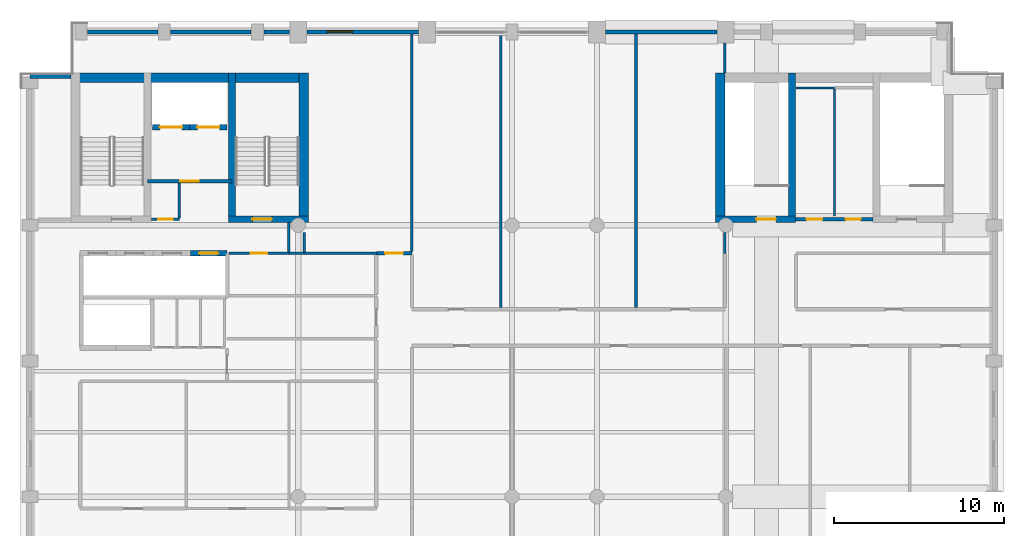
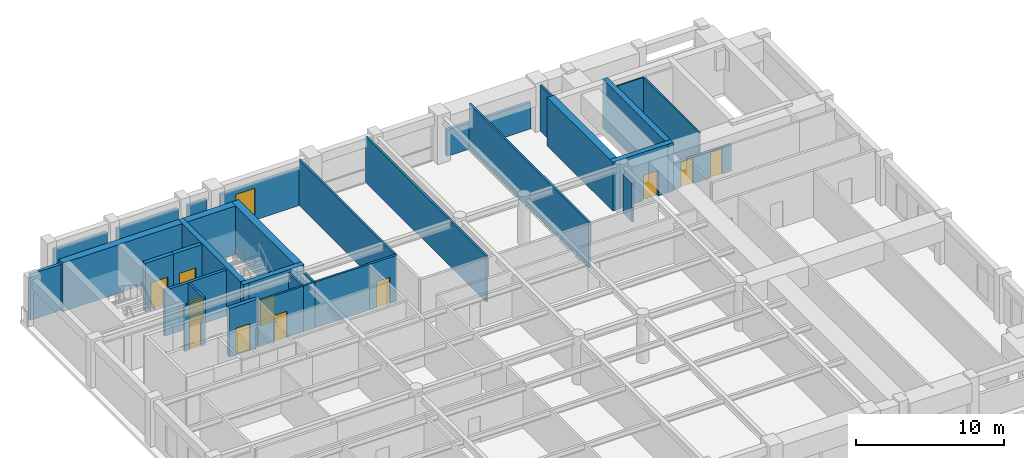
# One storey, part 10 of 14: 33 walls, 11 doors, 1 window, 12 openings.
"""IFC4 building model written with IfcOpenShell, lengths in metres."""

from ifc_helpers import new_model, si_unit, direction, frame, frame_2d, origin, place, context, subcontext, project, spatial, rectangle, extrude, material, layer, layer_set, type_object, element, fill, save


model = new_model("IFC4")

# Units and contexts
model_context = context("Model", 3, precision=1e-05, world=origin(), true_north=direction((0.0, 1.0)))
body_context = subcontext(model_context, "Body", "Model", "MODEL_VIEW")
ifc_project = project(units=[si_unit("LENGTHUNIT", "METRE"), si_unit("AREAUNIT", "SQUARE_METRE"), si_unit("VOLUMEUNIT", "CUBIC_METRE"), si_unit("PLANEANGLEUNIT", "RADIAN"), si_unit("MASSUNIT", "GRAM", prefix="KILO")], contexts=[model_context])

# Site, building, storey
site_placement = place(None, origin())
site = spatial("IfcSite", under=ifc_project, at=site_placement, CompositionType="ELEMENT")
building_placement = place(site_placement, origin())
building = spatial("IfcBuilding", under=site, at=building_placement, Name="Sulina Concourse Tower", CompositionType="ELEMENT")
storey_placement = place(building_placement, frame((0.0, 0.0, 285.0)))
storey = spatial("IfcBuildingStorey", under=building, at=storey_placement, Name="L69", CompositionType="ELEMENT", Elevation=285.0)

# Wall, opening, door
ifc_material_1 = material(Name="Concrete C50/60", Category="concrete")
ifc_layer_1 = layer(ifc_material_1, 0.300048828125)
ifc_layer_set_1 = layer_set([ifc_layer_1], Name="Concrete C50/60")
wall_type_1 = type_object("IfcWallType", Name="Core Lift Hoistway Wall 300mm", PredefinedType="SOLIDWALL", material=ifc_layer_set_1)
wall_1_placement = place(storey_placement, frame((10.050048828125, 32.35009765625, 0.0), z_axis=(0.0, 0.0, 1.0), x_axis=(1.0, 0.0, 0.0)))
wall_1 = element("IfcWall", 1, at=wall_1_placement, inside=storey, type_object=wall_type_1, Name="L69 hoistway enclosure wall LP-12", PredefinedType="SOLIDWALL", context=body_context, shape_type="SweptSolid", body=[
    extrude(rectangle(XDim=2.14990234375, YDim=0.300048828125, at=frame_2d((1.074951171875, 0.0))), origin(), (0.0, 0.0, 1.0), 4.0),
])
opening_1_placement = place(wall_1_placement, frame((0.52490234375, 0.0, 0.0)))
opening_1 = element("IfcOpeningElement", 2, at=opening_1_placement, cuts=wall_1, Name="Opening LD-01", PredefinedType="OPENING", context=body_context, shape_type="SweptSolid", body=[
    extrude(rectangle(XDim=1.10009765625, YDim=2.199951171875, at=frame_2d((0.550048828125, 1.10009765625))), frame((0.0, 0.159912109375, 0.0), z_axis=(0.0, -1.0, 0.0), x_axis=(1.0, 0.0, 0.0)), (0.0, 0.0, 1.0), 0.320068359375),
])
ifc_material_2 = material(Name="Stainless steel lift landing door", Category="steel")
ifc_layer_2 = layer(ifc_material_2, 0.050048828125)
ifc_layer_set_2 = layer_set([ifc_layer_2], Name="Stainless steel lift landing door")
door_type_1 = type_object("IfcDoorType", Name="Passenger Lift Sliding Landing Door 1100x2200", OperationType="SLIDING_TO_LEFT", PredefinedType="DOOR", material=ifc_layer_set_2)
door_1_placement = place(opening_1_placement, origin())
door_1 = element("IfcDoor", 3, at=door_1_placement, inside=storey, type_object=door_type_1, Name="L69 lift landing sliding door LP-12", OperationType="SLIDING_TO_RIGHT", OverallHeight=2.199951171875, OverallWidth=1.10009765625, PredefinedType="DOOR", context=body_context, shape_type="SweptSolid", body=[
    extrude(rectangle(XDim=1.10009765625, YDim=2.199951171875, at=frame_2d((0.550048828125, 1.10009765625))), frame((0.0, 0.02490234375, 0.0), z_axis=(0.0, -1.0, 0.0), x_axis=(1.0, 0.0, 0.0)), (0.0, 0.0, 1.0), 0.050048828125),
])
fill(opening_1, door_1)

wall_2_placement = place(storey_placement, frame((10.0, 39.780029296875, 0.0), z_axis=(0.0, 0.0, 1.0), x_axis=(-1.0, 0.0, 0.0)))
wall_2 = element("IfcWall", 4, at=wall_2_placement, inside=storey, type_object=wall_type_1, Name="L69 hoistway enclosure wall FFL-1", PredefinedType="SOLIDWALL", context=body_context, shape_type="SweptSolid", body=[
    extrude(rectangle(XDim=2.199951171875, YDim=0.300048828125, at=frame_2d((1.10009765625, 0.0))), origin(), (0.0, 0.0, 1.0), 4.0),
])
opening_2_placement = place(wall_2_placement, frame((0.449951171875, 0.0, 0.0)))
opening_2 = element("IfcOpeningElement", 5, at=opening_2_placement, cuts=wall_2, Name="Opening LD-02", PredefinedType="OPENING", context=body_context, shape_type="SweptSolid", body=[
    extrude(rectangle(XDim=1.300048828125, YDim=2.25, at=frame_2d((0.64990234375, 1.125))), frame((0.0, 0.159912109375, 0.0), z_axis=(0.0, -1.0, 0.0), x_axis=(1.0, 0.0, 0.0)), (0.0, 0.0, 1.0), 0.320068359375),
])
ifc_material_3 = material(Name="Stainless steel lift landing door", Category="steel")
ifc_layer_3 = layer(ifc_material_3, 0.050048828125)
ifc_layer_set_3 = layer_set([ifc_layer_3], Name="Stainless steel lift landing door")
door_type_2 = type_object("IfcDoorType", Name="Firefighting Lift Sliding Landing Door 1300x2250", OperationType="SLIDING_TO_RIGHT", PredefinedType="DOOR", material=ifc_layer_set_3)
door_2_placement = place(opening_2_placement, origin())
door_2 = element("IfcDoor", 6, at=door_2_placement, inside=storey, type_object=door_type_2, Name="L69 lift landing sliding door FFL-1", OperationType="SLIDING_TO_LEFT", OverallHeight=2.25, OverallWidth=1.300048828125, PredefinedType="DOOR", context=body_context, shape_type="SweptSolid", body=[
    extrude(rectangle(XDim=1.300048828125, YDim=2.25, at=frame_2d((0.64990234375, 1.125))), frame((0.0, 0.02490234375, 0.0), z_axis=(0.0, -1.0, 0.0), x_axis=(1.0, 0.0, 0.0)), (0.0, 0.0, 1.0), 0.050048828125),
])
fill(opening_2, door_2)

wall_3_placement = place(storey_placement, frame((12.199951171875, 39.780029296875, 0.0), z_axis=(0.0, 0.0, 1.0), x_axis=(-1.0, 0.0, 0.0)))
wall_3 = element("IfcWall", 7, at=wall_3_placement, inside=storey, type_object=wall_type_1, Name="L69 hoistway enclosure wall FFL-2", PredefinedType="SOLIDWALL", context=body_context, shape_type="SweptSolid", body=[
    extrude(rectangle(XDim=2.199951171875, YDim=0.300048828125, at=frame_2d((1.10009765625, 0.0))), origin(), (0.0, 0.0, 1.0), 4.0),
])
opening_3_placement = place(wall_3_placement, frame((0.449951171875, 0.0, 0.0)))
opening_3 = element("IfcOpeningElement", 8, at=opening_3_placement, cuts=wall_3, Name="Opening LD-02", PredefinedType="OPENING", context=body_context, shape_type="SweptSolid", body=[
    extrude(rectangle(XDim=1.300048828125, YDim=2.25, at=frame_2d((0.64990234375, 1.125))), frame((0.0, 0.159912109375, 0.0), z_axis=(0.0, -1.0, 0.0), x_axis=(1.0, 0.0, 0.0)), (0.0, 0.0, 1.0), 0.320068359375),
])
door_3_placement = place(opening_3_placement, origin())
door_3 = element("IfcDoor", 9, at=door_3_placement, inside=storey, type_object=door_type_2, Name="L69 lift landing sliding door FFL-2", OperationType="SLIDING_TO_RIGHT", OverallHeight=2.25, OverallWidth=1.300048828125, PredefinedType="DOOR", context=body_context, shape_type="SweptSolid", body=[
    extrude(rectangle(XDim=1.300048828125, YDim=2.25, at=frame_2d((0.64990234375, 1.125))), frame((0.0, 0.02490234375, 0.0), z_axis=(0.0, -1.0, 0.0), x_axis=(1.0, 0.0, 0.0)), (0.0, 0.0, 1.0), 0.050048828125),
])
fill(opening_3, door_3)

# Walls
ifc_material_4 = material(Name="Precast concrete C50/60", Category="concrete")
ifc_layer_4 = layer(ifc_material_4, 0.239990234375)
ifc_layer_set_4 = layer_set([ifc_layer_4], Name="Precast concrete C50/60")
wall_type_2 = type_object("IfcWallType", Name="Crown Precast Masonry-Frame Facade Wall 240mm", PredefinedType="SOLIDWALL", material=ifc_layer_set_4)
wall_4_placement = place(storey_placement, frame((3.969970703125, 45.39990234375, 0.0), z_axis=(0.0, 0.0, 1.0), x_axis=(1.0, 0.0, 0.0)))
element("IfcWall", 10, at=wall_4_placement, inside=storey, type_object=wall_type_2, Name="L69 exterior precast wall N1", PredefinedType="SOLIDWALL", context=body_context, shape_type="SweptSolid", body=[
    extrude(rectangle(XDim=4.159912109375, YDim=0.239990234375, at=frame_2d((2.080078125, 0.0))), origin(), (0.0, 0.0, 1.0), 3.02490234375),
])
wall_5_placement = place(storey_placement, frame((8.8701171875, 45.39990234375, 0.0), z_axis=(0.0, 0.0, 1.0), x_axis=(1.0, 0.0, 0.0)))
element("IfcWall", 11, at=wall_5_placement, inside=storey, type_object=wall_type_2, Name="L69 exterior precast wall N2", PredefinedType="SOLIDWALL", context=body_context, shape_type="SweptSolid", body=[
    extrude(rectangle(XDim=4.759765625, YDim=0.239990234375, at=frame_2d((2.3798828125, 0.0))), origin(), (0.0, 0.0, 1.0), 3.02490234375),
])
wall_6_placement = place(storey_placement, frame((14.3701171875, 45.39990234375, 0.0), z_axis=(0.0, 0.0, 1.0), x_axis=(1.0, 0.0, 0.0)))
element("IfcWall", 12, at=wall_6_placement, inside=storey, type_object=wall_type_2, Name="L69 exterior precast wall N3", PredefinedType="SOLIDWALL", context=body_context, shape_type="SweptSolid", body=[
    extrude(rectangle(XDim=1.509765625, YDim=0.239990234375, at=frame_2d((0.7548828125, 0.0))), origin(), (0.0, 0.0, 1.0), 3.02490234375),
])

# Wall, opening, window
wall_7_placement = place(storey_placement, frame((16.919921875, 45.39990234375, 0.0), z_axis=(0.0, 0.0, 1.0), x_axis=(1.0, 0.0, 0.0)))
wall_7 = element("IfcWall", 13, at=wall_7_placement, inside=storey, type_object=wall_type_2, Name="L69 exterior precast wall N4", PredefinedType="SOLIDWALL", context=body_context, shape_type="SweptSolid", body=[
    extrude(rectangle(XDim=6.56005859375, YDim=0.239990234375, at=frame_2d((3.280029296875, 0.0))), origin(), (0.0, 0.0, 1.0), 3.02490234375),
])
opening_4_placement = place(wall_7_placement, frame((1.186767578125, 0.0, 0.419921875)))
opening_4 = element("IfcOpeningElement", 14, at=opening_4_placement, cuts=wall_7, Name="Opening WN-71", PredefinedType="OPENING", context=body_context, shape_type="SweptSolid", body=[
    extrude(rectangle(XDim=1.5, YDim=2.199951171875, at=frame_2d((0.75, 1.10009765625))), frame((0.0, 0.1298828125, 0.0), z_axis=(0.0, -1.0, 0.0), x_axis=(1.0, 0.0, 0.0)), (0.0, 0.0, 1.0), 0.260009765625),
])
ifc_material_5 = material(Name="Low-E solar double glazing in bronze aluminium", Category="aluminium")
window_type = type_object("IfcWindowType", Name="Punched Masonry-Frame Window 1500x2200", PartitioningType="SINGLE_PANEL", PredefinedType="WINDOW", material=ifc_material_5)
window_placement = place(opening_4_placement, origin())
window = element("IfcWindow", 15, at=window_placement, inside=storey, type_object=window_type, Name="L69 punched window N4-1", OverallHeight=2.199951171875, OverallWidth=1.5, PartitioningType="SINGLE_PANEL", PredefinedType="WINDOW", context=body_context, shape_type="SweptSolid", body=[
    extrude(rectangle(XDim=1.5, YDim=2.199951171875, at=frame_2d((0.75, 1.10009765625))), frame((0.0, 0.030029296875, 0.0), z_axis=(0.0, -1.0, 0.0), x_axis=(1.0, 0.0, 0.0)), (0.0, 0.0, 1.0), 0.06005859375),
])
fill(opening_4, window)

# Walls
wall_8_placement = place(storey_placement, frame((34.52001953125, 45.39990234375, 0.0), z_axis=(0.0, 0.0, 1.0), x_axis=(1.0, 0.0, 0.0)))
element("IfcWall", 16, at=wall_8_placement, inside=storey, type_object=wall_type_2, Name="L69 exterior precast wall N7", PredefinedType="SOLIDWALL", context=body_context, shape_type="SweptSolid", body=[
    extrude(rectangle(XDim=6.56005859375, YDim=0.239990234375, at=frame_2d((3.280029296875, 0.0))), origin(), (0.0, 0.0, 1.0), 2.175048828125),
])
wall_9_placement = place(storey_placement, frame((0.60009765625, 42.77001953125, 0.0), z_axis=(0.0, 0.0, 1.0), x_axis=(1.0, 0.0, 0.0)))
element("IfcWall", 17, at=wall_9_placement, inside=storey, type_object=wall_type_2, Name="L69 exterior precast wall CNW1", PredefinedType="SOLIDWALL", context=body_context, shape_type="SweptSolid", body=[
    extrude(rectangle(XDim=2.39501953125, YDim=0.239990234375, at=frame_2d((1.197509765625, 0.0))), origin(), (0.0, 0.0, 1.0), 3.77490234375),
])

# Wall, opening, door
ifc_material_6 = material(Name="Gypsum board on steel stud", Category="steel")
ifc_layer_5 = layer(ifc_material_6, 0.219970703125)
ifc_layer_set_5 = layer_set([ifc_layer_5], Name="Gypsum board on steel stud")
wall_type_3 = type_object("IfcWallType", Name="Fire-Rated Lobby & Compartment Wall 220mm", PredefinedType="PARTITIONING", material=ifc_layer_set_5)
wall_10_placement = place(storey_placement, frame((7.510009765625, 36.60009765625, 0.0), z_axis=(0.0, 0.0, 1.0), x_axis=(1.0, 0.0, 0.0)))
wall_10 = element("IfcWall", 18, at=wall_10_placement, inside=storey, type_object=wall_type_3, Name="L69 firefighting lobby south fire wall", PredefinedType="PARTITIONING", context=body_context, shape_type="SweptSolid", body=[
    extrude(rectangle(XDim=4.97998046875, YDim=0.219970703125, at=frame_2d((2.489990234375, 0.0))), origin(), (0.0, 0.0, 1.0), 3.77490234375),
])
opening_5_placement = place(wall_10_placement, frame((1.93994140625, 0.0, 0.0)))
opening_5 = element("IfcOpeningElement", 19, at=opening_5_placement, cuts=wall_10, Name="Opening DR-47", PredefinedType="OPENING", context=body_context, shape_type="SweptSolid", body=[
    extrude(rectangle(XDim=1.10009765625, YDim=2.199951171875, at=frame_2d((0.550048828125, 1.10009765625))), frame((0.0, 0.119873046875, 0.0), z_axis=(0.0, -1.0, 0.0), x_axis=(1.0, 0.0, 0.0)), (0.0, 0.0, 1.0), 0.239990234375),
])
ifc_material_7 = material(Name="Galvanised steel acoustic fire leaf", Category="steel")
ifc_layer_6 = layer(ifc_material_7, 0.054931640625)
ifc_layer_set_6 = layer_set([ifc_layer_6], Name="Galvanised steel acoustic fire leaf")
door_type_3 = type_object("IfcDoorType", Name="Firefighting Lobby Fire Door 1100x2200", OperationType="NOTDEFINED", PredefinedType="DOOR", material=ifc_layer_set_6)
door_4_placement = place(opening_5_placement, origin())
door_4 = element("IfcDoor", 20, at=door_4_placement, inside=storey, type_object=door_type_3, Name="L69 firefighting lobby fire door", OperationType="SINGLE_SWING_RIGHT", OverallHeight=2.199951171875, OverallWidth=1.10009765625, PredefinedType="DOOR", context=body_context, shape_type="SweptSolid", body=[
    extrude(rectangle(XDim=1.10009765625, YDim=2.199951171875, at=frame_2d((0.550048828125, 1.10009765625))), frame((0.0, 0.02490234375, 0.0), z_axis=(0.0, -1.0, 0.0), x_axis=(1.0, 0.0, 0.0)), (0.0, 0.0, 1.0), 0.050048828125),
])
fill(opening_5, door_4)

# Wall, openings, doors
wall_11_placement = place(storey_placement, frame((45.719970703125, 34.35009765625, 0.0), z_axis=(0.0, 0.0, 1.0), x_axis=(1.0, 0.0, 0.0)))
wall_11 = element("IfcWall", 21, at=wall_11_placement, inside=storey, type_object=wall_type_3, Name="L69 east core south lobby wall", PredefinedType="PARTITIONING", context=body_context, shape_type="SweptSolid", body=[
    extrude(rectangle(XDim=4.56005859375, YDim=0.219970703125, at=frame_2d((2.280029296875, 0.0))), origin(), (0.0, 0.0, 1.0), 2.159912109375),
])
opening_6_placement = place(wall_11_placement, frame((0.64990234375, 0.0, 0.0)))
opening_6 = element("IfcOpeningElement", 22, at=opening_6_placement, cuts=wall_11, Name="Opening DR-61", PredefinedType="OPENING", context=body_context, shape_type="SweptSolid", body=[
    extrude(rectangle(XDim=0.919921875, YDim=2.10009765625, at=frame_2d((0.4599609375, 1.050048828125))), frame((0.0, 0.119873046875, 0.0), z_axis=(0.0, -1.0, 0.0), x_axis=(1.0, 0.0, 0.0)), (0.0, 0.0, 1.0), 0.239990234375),
])
opening_7_placement = place(wall_11_placement, frame((2.949951171875, 0.0, 0.0)))
opening_7 = element("IfcOpeningElement", 23, at=opening_7_placement, cuts=wall_11, Name="Opening DR-38", PredefinedType="OPENING", context=body_context, shape_type="SweptSolid", body=[
    extrude(rectangle(XDim=0.8798828125, YDim=2.10009765625, at=frame_2d((0.43994140625, 1.050048828125))), frame((0.0, 0.119873046875, 0.0), z_axis=(0.0, -1.0, 0.0), x_axis=(1.0, 0.0, 0.0)), (0.0, 0.0, 1.0), 0.239990234375),
])
ifc_material_8 = material(Name="Oak-veneered fire door leaf")
ifc_layer_7 = layer(ifc_material_8, 0.050048828125)
ifc_layer_set_7 = layer_set([ifc_layer_7], Name="Oak-veneered fire door leaf")
door_type_4 = type_object("IfcDoorType", Name="Accessible WC Door 920x2100", OperationType="NOTDEFINED", PredefinedType="DOOR", material=ifc_layer_set_7)
door_5_placement = place(opening_6_placement, origin())
door_5 = element("IfcDoor", 24, at=door_5_placement, inside=storey, type_object=door_type_4, Name="L69 east core accessible wc door", OperationType="SINGLE_SWING_RIGHT", OverallHeight=2.10009765625, OverallWidth=0.919921875, PredefinedType="DOOR", context=body_context, shape_type="SweptSolid", body=[
    extrude(rectangle(XDim=0.919921875, YDim=2.10009765625, at=frame_2d((0.4599609375, 1.050048828125))), frame((0.0, 0.02490234375, 0.0), z_axis=(0.0, -1.0, 0.0), x_axis=(1.0, 0.0, 0.0)), (0.0, 0.0, 1.0), 0.050048828125),
])
fill(opening_6, door_5)
ifc_material_9 = material(Name="Galvanised steel acoustic fire leaf", Category="steel")
ifc_layer_8 = layer(ifc_material_9, 0.050048828125)
ifc_layer_set_8 = layer_set([ifc_layer_8], Name="Galvanised steel acoustic fire leaf")
door_type_5 = type_object("IfcDoorType", Name="Service Riser Fire Door 880x2100", OperationType="NOTDEFINED", PredefinedType="DOOR", material=ifc_layer_set_8)
door_6_placement = place(opening_7_placement, origin())
door_6 = element("IfcDoor", 25, at=door_6_placement, inside=storey, type_object=door_type_5, Name="L69 east core store door", OperationType="SINGLE_SWING_LEFT", OverallHeight=2.10009765625, OverallWidth=0.8798828125, PredefinedType="DOOR", context=body_context, shape_type="SweptSolid", body=[
    extrude(rectangle(XDim=0.8798828125, YDim=2.10009765625, at=frame_2d((0.43994140625, 1.050048828125))), frame((0.0, 0.02490234375, 0.0), z_axis=(0.0, -1.0, 0.0), x_axis=(1.0, 0.0, 0.0)), (0.0, 0.0, 1.0), 0.050048828125),
])
fill(opening_7, door_6)

# Wall, opening, door
ifc_material_10 = material(Name="Gypsum board on steel stud", Category="steel")
ifc_layer_9 = layer(ifc_material_10, 0.14990234375)
ifc_layer_set_9 = layer_set([ifc_layer_9], Name="Gypsum board on steel stud")
wall_type_4 = type_object("IfcWallType", Name="Inter-Tenancy Acoustic Partition 150mm", PredefinedType="PARTITIONING", material=ifc_layer_set_9)
wall_12_placement = place(storey_placement, frame((12.330078125, 32.35009765625, 0.0), z_axis=(0.0, 0.0, 1.0), x_axis=(1.0, 0.0, 0.0)))
wall_12 = element("IfcWall", 26, at=wall_12_placement, inside=storey, type_object=wall_type_4, Name="L69 interior partition 025", PredefinedType="PARTITIONING", context=body_context, shape_type="SweptSolid", body=[
    extrude(rectangle(XDim=3.52001953125, YDim=0.14990234375, at=frame_2d((1.760009765625, 0.0))), origin(), (0.0, 0.0, 1.0), 3.77490234375),
])
opening_8_placement = place(wall_12_placement, frame((1.284912109375, 0.0, 0.0)))
opening_8 = element("IfcOpeningElement", 27, at=opening_8_placement, cuts=wall_12, Name="Opening DR-19", PredefinedType="OPENING", context=body_context, shape_type="SweptSolid", body=[
    extrude(rectangle(XDim=0.949951171875, YDim=2.14990234375, at=frame_2d((0.47509765625, 1.074951171875))), frame((0.0, 0.0849609375, 0.0), z_axis=(0.0, -1.0, 0.0), x_axis=(1.0, 0.0, 0.0)), (0.0, 0.0, 1.0), 0.169921875),
])
ifc_material_11 = material(Name="Oak-veneered acoustic timber leaf", Category="wood")
ifc_layer_10 = layer(ifc_material_11, 0.050048828125)
ifc_layer_set_10 = layer_set([ifc_layer_10], Name="Oak-veneered acoustic timber leaf")
door_type_6 = type_object("IfcDoorType", Name="Cellular Office & Meeting Door 950x2150", OperationType="NOTDEFINED", PredefinedType="DOOR", material=ifc_layer_set_10)
door_7_placement = place(opening_8_placement, origin())
door_7 = element("IfcDoor", 28, at=door_7_placement, inside=storey, type_object=door_type_6, Name="L69 interior door L69-MR-MRG3", OperationType="SINGLE_SWING_LEFT", OverallHeight=2.14990234375, OverallWidth=0.949951171875, PredefinedType="DOOR", context=body_context, shape_type="SweptSolid", body=[
    extrude(rectangle(XDim=0.949951171875, YDim=2.14990234375, at=frame_2d((0.47509765625, 1.074951171875))), frame((0.0, 0.02490234375, 0.0), z_axis=(0.0, -1.0, 0.0), x_axis=(1.0, 0.0, 0.0)), (0.0, 0.0, 1.0), 0.050048828125),
])
fill(opening_8, door_7)

# Walls
wall_13_placement = place(storey_placement, frame((15.85009765625, 32.35009765625, 0.0), z_axis=(0.0, 0.0, 1.0), x_axis=(1.0, 0.0, 0.0)))
element("IfcWall", 29, at=wall_13_placement, inside=storey, type_object=wall_type_4, Name="L69 interior partition 026", PredefinedType="PARTITIONING", context=body_context, shape_type="SweptSolid", body=[
    extrude(rectangle(XDim=0.89990234375, YDim=0.14990234375, at=frame_2d((0.449951171875, 0.0))), origin(), (0.0, 0.0, 1.0), 3.77490234375),
])
wall_14_placement = place(storey_placement, frame((16.75, 32.35009765625, 0.0), z_axis=(0.0, 0.0, 1.0), x_axis=(1.0, 0.0, 0.0)))
element("IfcWall", 30, at=wall_14_placement, inside=storey, type_object=wall_type_4, Name="L69 interior partition 027", PredefinedType="PARTITIONING", context=body_context, shape_type="SweptSolid", body=[
    extrude(rectangle(XDim=4.25, YDim=0.14990234375, at=frame_2d((2.125, 0.0))), origin(), (0.0, 0.0, 1.0), 3.77490234375),
])

# Wall, opening, door
wall_15_placement = place(storey_placement, frame((7.75, 34.35009765625, 0.0), z_axis=(0.0, 0.0, 1.0), x_axis=(1.0, 0.0, 0.0)))
wall_15 = element("IfcWall", 31, at=wall_15_placement, inside=storey, type_object=wall_type_4, Name="L69 interior partition 032", PredefinedType="PARTITIONING", context=body_context, shape_type="SweptSolid", body=[
    extrude(rectangle(XDim=1.64990234375, YDim=0.14990234375, at=frame_2d((0.824951171875, 0.0))), origin(), (0.0, 0.0, 1.0), 3.77490234375),
])
opening_9_placement = place(wall_15_placement, frame((0.385009765625, 0.0, 0.0)))
opening_9 = element("IfcOpeningElement", 32, at=opening_9_placement, cuts=wall_15, Name="Opening DR-38", PredefinedType="OPENING", context=body_context, shape_type="SweptSolid", body=[
    extrude(rectangle(XDim=0.8798828125, YDim=2.10009765625, at=frame_2d((0.43994140625, 1.050048828125))), frame((0.0, 0.0849609375, 0.0), z_axis=(0.0, -1.0, 0.0), x_axis=(1.0, 0.0, 0.0)), (0.0, 0.0, 1.0), 0.169921875),
])
door_8_placement = place(opening_9_placement, origin())
door_8 = element("IfcDoor", 33, at=door_8_placement, inside=storey, type_object=door_type_5, Name="L69 interior door L69-CLN-N", OperationType="SINGLE_SWING_LEFT", OverallHeight=2.10009765625, OverallWidth=0.8798828125, PredefinedType="DOOR", context=body_context, shape_type="SweptSolid", body=[
    extrude(rectangle(XDim=0.8798828125, YDim=2.10009765625, at=frame_2d((0.43994140625, 1.050048828125))), frame((0.0, 0.02490234375, 0.0), z_axis=(0.0, -1.0, 0.0), x_axis=(1.0, 0.0, 0.0)), (0.0, 0.0, 1.0), 0.050048828125),
])
fill(opening_9, door_8)

# Walls
wall_16_placement = place(storey_placement, frame((9.39990234375, 34.425048828125, 0.0), z_axis=(0.0, 0.0, 1.0), x_axis=(0.0, 1.0, 0.0)))
element("IfcWall", 34, at=wall_16_placement, inside=storey, type_object=wall_type_4, Name="L69 interior partition 038", PredefinedType="PARTITIONING", context=body_context, shape_type="SweptSolid", body=[
    extrude(rectangle(XDim=2.06494140625, YDim=0.14990234375, at=frame_2d((1.032470703125, 0.0))), origin(), (0.0, 0.0, 1.0), 3.77490234375),
])
wall_17_placement = place(storey_placement, frame((15.85009765625, 32.425048828125, 0.0), z_axis=(0.0, 0.0, 1.0), x_axis=(0.0, 1.0, 0.0)))
element("IfcWall", 35, at=wall_17_placement, inside=storey, type_object=wall_type_4, Name="L69 interior partition 045", PredefinedType="PARTITIONING", context=body_context, shape_type="SweptSolid", body=[
    extrude(rectangle(XDim=1.724853515625, YDim=0.14990234375, at=frame_2d((0.8623046875, 0.0))), origin(), (0.0, 0.0, 1.0), 3.77490234375),
])
wall_18_placement = place(storey_placement, frame((16.75, 32.425048828125, 0.0), z_axis=(0.0, 0.0, 1.0), x_axis=(0.0, 1.0, 0.0)))
element("IfcWall", 36, at=wall_18_placement, inside=storey, type_object=wall_type_4, Name="L69 interior partition 046", PredefinedType="PARTITIONING", context=body_context, shape_type="SweptSolid", body=[
    extrude(rectangle(XDim=1.14990234375, YDim=0.14990234375, at=frame_2d((0.574951171875, 0.0))), origin(), (0.0, 0.0, 1.0), 3.77490234375),
])
wall_19_placement = place(storey_placement, frame((23.10009765625, 32.43994140625, 0.0), z_axis=(0.0, 0.0, 1.0), x_axis=(0.0, 1.0, 0.0)))
element("IfcWall", 37, at=wall_19_placement, inside=storey, type_object=wall_type_4, Name="L69 interior partition 055", PredefinedType="PARTITIONING", context=body_context, shape_type="SweptSolid", body=[
    extrude(rectangle(XDim=12.840087890625, YDim=0.14990234375, at=frame_2d((6.419921875, 0.0))), origin(), (0.0, 0.0, 1.0), 3.77490234375),
])
wall_20_placement = place(storey_placement, frame((28.340087890625, 29.139892578125, 0.0), z_axis=(0.0, 0.0, 1.0), x_axis=(0.0, 1.0, 0.0)))
element("IfcWall", 38, at=wall_20_placement, inside=storey, type_object=wall_type_4, Name="L69 interior partition 056", PredefinedType="PARTITIONING", context=body_context, shape_type="SweptSolid", body=[
    extrude(rectangle(XDim=16.260009765625, YDim=0.14990234375, at=frame_2d((8.1298828125, 0.0))), origin(), (0.0, 0.0, 1.0), 3.77490234375),
])
wall_21_placement = place(storey_placement, frame((36.31005859375, 29.139892578125, 0.0), z_axis=(0.0, 0.0, 1.0), x_axis=(0.0, 1.0, 0.0)))
element("IfcWall", 39, at=wall_21_placement, inside=storey, type_object=wall_type_4, Name="L69 interior partition 059", PredefinedType="PARTITIONING", context=body_context, shape_type="SweptSolid", body=[
    extrude(rectangle(XDim=16.14013671875, YDim=0.14990234375, at=frame_2d((8.070068359375, 0.0))), origin(), (0.0, 0.0, 1.0), 3.77490234375),
])
wall_22_placement = place(storey_placement, frame((41.550048828125, 32.35009765625, 0.0), z_axis=(0.0, 0.0, 1.0), x_axis=(0.0, 1.0, 0.0)))
element("IfcWall", 40, at=wall_22_placement, inside=storey, type_object=wall_type_4, Name="L69 interior partition 061", PredefinedType="PARTITIONING", context=body_context, shape_type="SweptSolid", body=[
    extrude(rectangle(XDim=1.224853515625, YDim=0.14990234375, at=frame_2d((0.6123046875, 0.0))), origin(), (0.0, 0.0, 1.0), 3.219970703125),
])
wall_23_placement = place(storey_placement, frame((41.550048828125, 42.97998046875, 0.0), z_axis=(0.0, 0.0, 1.0), x_axis=(0.0, 1.0, 0.0)))
element("IfcWall", 41, at=wall_23_placement, inside=storey, type_object=wall_type_4, Name="L69 interior partition 062", PredefinedType="PARTITIONING", context=body_context, shape_type="SweptSolid", body=[
    extrude(rectangle(XDim=1.77001953125, YDim=0.14990234375, at=frame_2d((0.885009765625, 0.0))), origin(), (0.0, 0.0, 1.0), 3.77490234375),
])

# Wall, opening, door
ifc_material_12 = material(Name="Gypsum board on steel stud", Category="steel")
ifc_layer_11 = layer(ifc_material_12, 0.179931640625)
ifc_layer_set_11 = layer_set([ifc_layer_11], Name="Gypsum board on steel stud")
wall_type_5 = type_object("IfcWallType", Name="Protected Corridor & Riser Partition 180mm", PredefinedType="PARTITIONING", material=ifc_layer_set_11)
wall_24_placement = place(storey_placement, frame((21.0, 32.35009765625, 0.0), z_axis=(0.0, 0.0, 1.0), x_axis=(1.0, 0.0, 0.0)))
wall_24 = element("IfcWall", 42, at=wall_24_placement, inside=storey, type_object=wall_type_5, Name="L69 interior partition 028", PredefinedType="PARTITIONING", context=body_context, shape_type="SweptSolid", body=[
    extrude(rectangle(XDim=2.10009765625, YDim=0.179931640625, at=frame_2d((1.050048828125, 0.0))), origin(), (0.0, 0.0, 1.0), 3.77490234375),
])
opening_10_placement = place(wall_24_placement, frame((0.52490234375, 0.0, 0.0)))
opening_10 = element("IfcOpeningElement", 43, at=opening_10_placement, cuts=wall_24, Name="Opening DR-37", PredefinedType="OPENING", context=body_context, shape_type="SweptSolid", body=[
    extrude(rectangle(XDim=1.050048828125, YDim=2.14990234375, at=frame_2d((0.52490234375, 1.074951171875))), frame((0.0, 0.099853515625, 0.0), z_axis=(0.0, -1.0, 0.0), x_axis=(1.0, 0.0, 0.0)), (0.0, 0.0, 1.0), 0.199951171875),
])
ifc_material_13 = material(Name="Oak-veneered fire door leaf")
ifc_layer_12 = layer(ifc_material_13, 0.050048828125)
ifc_layer_set_12 = layer_set([ifc_layer_12], Name="Oak-veneered fire door leaf")
door_type_7 = type_object("IfcDoorType", Name="Tenant Suite Entrance Fire Door 1050x2150", OperationType="NOTDEFINED", PredefinedType="DOOR", material=ifc_layer_set_12)
door_9_placement = place(opening_10_placement, origin())
door_9 = element("IfcDoor", 44, at=door_9_placement, inside=storey, type_object=door_type_7, Name="L69 interior door L69-NC-NW", OperationType="SINGLE_SWING_RIGHT", OverallHeight=2.14990234375, OverallWidth=1.050048828125, PredefinedType="DOOR", context=body_context, shape_type="SweptSolid", body=[
    extrude(rectangle(XDim=1.050048828125, YDim=2.14990234375, at=frame_2d((0.52490234375, 1.074951171875))), frame((0.0, 0.02490234375, 0.0), z_axis=(0.0, -1.0, 0.0), x_axis=(1.0, 0.0, 0.0)), (0.0, 0.0, 1.0), 0.050048828125),
])
fill(opening_10, door_9)

ifc_material_14 = material(Name="Concrete C60/75", Category="concrete")
ifc_layer_13 = layer(ifc_material_14, 0.39990234375)
ifc_layer_set_13 = layer_set([ifc_layer_13], Name="Concrete C60/75")
wall_type_6 = type_object("IfcWallType", Name="Protected Stair Core Shear Wall 400mm", PredefinedType="SHEAR", material=ifc_layer_set_13)
wall_25_placement = place(storey_placement, frame((12.2900390625, 34.35009765625, 0.0), z_axis=(0.0, 0.0, 1.0), x_axis=(1.0, 0.0, 0.0)))
wall_25 = element("IfcWall", 45, at=wall_25_placement, inside=storey, type_object=wall_type_6, Name="L69 west core shear wall CW-WS2", PredefinedType="SHEAR", context=body_context, shape_type="SweptSolid", body=[
    extrude(rectangle(XDim=4.7099609375, YDim=0.39990234375, at=frame_2d((2.35498046875, 0.0))), origin(), (0.0, 0.0, 1.0), 4.0),
])
opening_11_placement = place(wall_25_placement, frame((1.39990234375, 0.0, 0.0)))
opening_11 = element("IfcOpeningElement", 46, at=opening_11_placement, cuts=wall_25, Name="Opening DR-60", PredefinedType="OPENING", context=body_context, shape_type="SweptSolid", body=[
    extrude(rectangle(XDim=1.14990234375, YDim=2.199951171875, at=frame_2d((0.574951171875, 1.10009765625))), frame((0.0, 0.2099609375, 0.0), z_axis=(0.0, -1.0, 0.0), x_axis=(1.0, 0.0, 0.0)), (0.0, 0.0, 1.0), 0.419921875),
])
ifc_material_15 = material(Name="Galvanised steel acoustic fire leaf", Category="steel")
ifc_layer_14 = layer(ifc_material_15, 0.054931640625)
ifc_layer_set_14 = layer_set([ifc_layer_14], Name="Galvanised steel acoustic fire leaf")
door_type_8 = type_object("IfcDoorType", Name="Protected Exit Stair Fire Door 1150x2200", OperationType="NOTDEFINED", PredefinedType="DOOR", material=ifc_layer_set_14)
door_10_placement = place(opening_11_placement, origin())
door_10 = element("IfcDoor", 47, at=door_10_placement, inside=storey, type_object=door_type_8, Name="L69 stair ST-2 lobby fire door", OperationType="SINGLE_SWING_LEFT", OverallHeight=2.199951171875, OverallWidth=1.14990234375, PredefinedType="DOOR", context=body_context, shape_type="SweptSolid", body=[
    extrude(rectangle(XDim=1.14990234375, YDim=2.199951171875, at=frame_2d((0.574951171875, 1.10009765625))), frame((0.0, 0.02490234375, 0.0), z_axis=(0.0, -1.0, 0.0), x_axis=(1.0, 0.0, 0.0)), (0.0, 0.0, 1.0), 0.050048828125),
])
fill(opening_11, door_10)

# Wall
wall_26_placement = place(storey_placement, frame((12.489990234375, 34.14990234375, 0.0), z_axis=(0.0, 0.0, 1.0), x_axis=(0.0, 1.0, 0.0)))
element("IfcWall", 48, at=wall_26_placement, inside=storey, type_object=wall_type_6, Name="L69 west core shear wall SW-ST2", PredefinedType="SHEAR", context=body_context, shape_type="SweptSolid", body=[
    extrude(rectangle(XDim=8.830078125, YDim=0.39990234375, at=frame_2d((4.4150390625, 0.0))), origin(), (0.0, 0.0, 1.0), 4.0),
])

# Wall, opening, door
wall_27_placement = place(storey_placement, frame((41.0, 34.35009765625, 0.0), z_axis=(0.0, 0.0, 1.0), x_axis=(1.0, 0.0, 0.0)))
wall_27 = element("IfcWall", 49, at=wall_27_placement, inside=storey, type_object=wall_type_6, Name="L69 east core shear wall CW-ES1", PredefinedType="SHEAR", context=body_context, shape_type="SweptSolid", body=[
    extrude(rectangle(XDim=4.7099609375, YDim=0.39990234375, at=frame_2d((2.35498046875, 0.0))), origin(), (0.0, 0.0, 1.0), 4.0),
])
opening_12_placement = place(wall_27_placement, frame((2.39990234375, 0.0, 0.0)))
opening_12 = element("IfcOpeningElement", 50, at=opening_12_placement, cuts=wall_27, Name="Opening DR-98", PredefinedType="OPENING", context=body_context, shape_type="SweptSolid", body=[
    extrude(rectangle(XDim=1.14990234375, YDim=2.10009765625, at=frame_2d((0.574951171875, 1.050048828125))), frame((0.0, 0.2099609375, 0.0), z_axis=(0.0, -1.0, 0.0), x_axis=(1.0, 0.0, 0.0)), (0.0, 0.0, 1.0), 0.419921875),
])
ifc_material_16 = material(Name="Fire-rated steel door leaf", Category="steel")
door_type_9 = type_object("IfcDoorType", Name="Crown Transfer Protected Stair Fire Door 1150x2100", OperationType="NOTDEFINED", PredefinedType="DOOR", material=ifc_material_16)
door_11_placement = place(opening_12_placement, origin())
door_11 = element("IfcDoor", 51, at=door_11_placement, inside=storey, type_object=door_type_9, Name="L69 stair ST-3 south lobby fire door", OperationType="SINGLE_SWING_LEFT", OverallHeight=2.10009765625, OverallWidth=1.14990234375, PredefinedType="DOOR", context=body_context, shape_type="SweptSolid", body=[
    extrude(rectangle(XDim=1.14990234375, YDim=2.10009765625, at=frame_2d((0.574951171875, 1.050048828125))), frame((0.0, 0.02490234375, 0.0), z_axis=(0.0, -1.0, 0.0), x_axis=(1.0, 0.0, 0.0)), (0.0, 0.0, 1.0), 0.050048828125),
])
fill(opening_12, door_11)

# Walls
wall_28_placement = place(storey_placement, frame((45.510009765625, 34.14990234375, 0.0), z_axis=(0.0, 0.0, 1.0), x_axis=(0.0, 1.0, 0.0)))
element("IfcWall", 52, at=wall_28_placement, inside=storey, type_object=wall_type_6, Name="L69 east core shear wall SW-ST3", PredefinedType="SHEAR", context=body_context, shape_type="SweptSolid", body=[
    extrude(rectangle(XDim=8.830078125, YDim=0.39990234375, at=frame_2d((4.4150390625, 0.0))), origin(), (0.0, 0.0, 1.0), 4.0),
])
ifc_material_17 = material(Name="Concrete C50/60", Category="concrete")
ifc_layer_15 = layer(ifc_material_17, 0.550048828125)
ifc_layer_set_15 = layer_set([ifc_layer_15], Name="Concrete C50/60")
wall_type_7 = type_object("IfcWallType", Name="Upper Core Shear Wall 550mm", PredefinedType="SHEAR", material=ifc_layer_set_15)
wall_29_placement = place(storey_placement, frame((3.0, 42.705078125, 0.0), z_axis=(0.0, 0.0, 1.0), x_axis=(1.0, 0.0, 0.0)))
element("IfcWall", 53, at=wall_29_placement, inside=storey, type_object=wall_type_7, Name="L69 west core shear wall CW-WN", PredefinedType="SHEAR", context=body_context, shape_type="SweptSolid", body=[
    extrude(rectangle(XDim=14.0, YDim=0.550048828125, at=frame_2d((7.0, 0.0))), origin(), (0.0, 0.0, 1.0), 4.0),
])
for number, where, z_axis, x_axis, name in (
    (54, (16.72509765625, 34.14990234375, 0.0), (0.0, 0.0, 1.0), (0.0, 1.0, 0.0), "L69 west core shear wall CW-WE"),
    (55, (41.27490234375, 34.14990234375, 0.0), (0.0, 0.0, 1.0), (0.0, 1.0, 0.0), "L69 east core shear wall CW-EW"),
):
    element("IfcWall", number, at=place(storey_placement, frame(where, z_axis=z_axis, x_axis=x_axis)), inside=storey, type_object=wall_type_7, Name=name, PredefinedType="SHEAR", context=body_context, shape_type="SweptSolid", body=[
        extrude(rectangle(XDim=8.830078125, YDim=0.550048828125, at=frame_2d((4.4150390625, 0.0))), origin(), (0.0, 0.0, 1.0), 4.0),
    ])
ifc_material_18 = material(Name="Gypsum board on steel stud", Category="steel")
ifc_layer_16 = layer(ifc_material_18, 0.125)
ifc_layer_set_16 = layer_set([ifc_layer_16], Name="Gypsum board on steel stud")
wall_type_8 = type_object("IfcWallType", Name="Wet-Area Moisture-Resistant Partition 125mm", PredefinedType="PARTITIONING", material=ifc_layer_set_16)
wall_30_placement = place(storey_placement, frame((45.75, 42.10009765625, 0.0), z_axis=(0.0, 0.0, 1.0), x_axis=(1.0, 0.0, 0.0)))
element("IfcWall", 56, at=wall_30_placement, inside=storey, type_object=wall_type_8, Name="L69 interior partition 033", PredefinedType="PARTITIONING", context=body_context, shape_type="SweptSolid", body=[
    extrude(rectangle(XDim=2.25, YDim=0.125, at=frame_2d((1.125, 0.0))), origin(), (0.0, 0.0, 1.0), 3.77490234375),
])
wall_31_placement = place(storey_placement, frame((48.0, 34.550048828125, 0.0), z_axis=(0.0, 0.0, 1.0), x_axis=(0.0, 1.0, 0.0)))
element("IfcWall", 57, at=wall_31_placement, inside=storey, type_object=wall_type_8, Name="L69 interior partition 067", PredefinedType="PARTITIONING", context=body_context, shape_type="SweptSolid", body=[
    extrude(rectangle(XDim=7.474853515625, YDim=0.125, at=frame_2d((3.7373046875, 0.0))), origin(), (0.0, 0.0, 1.0), 3.77490234375),
])

save(model, "model.ifc")
